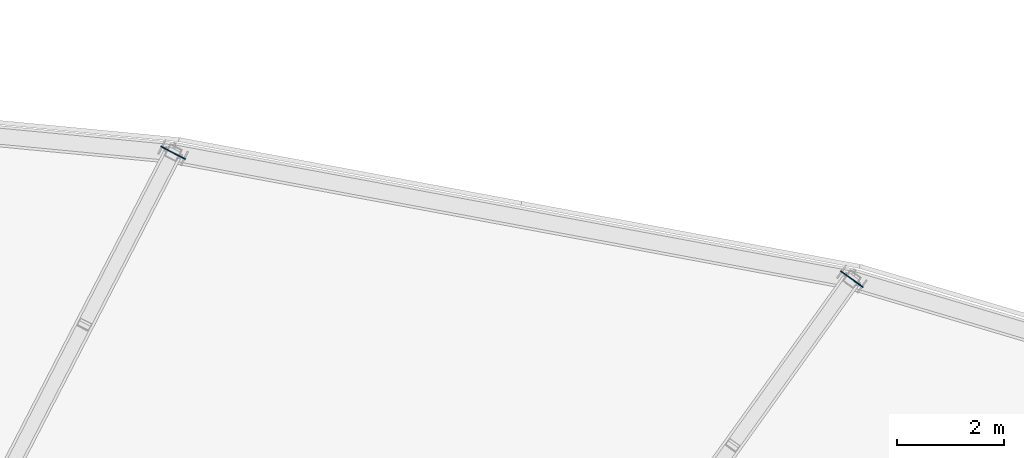
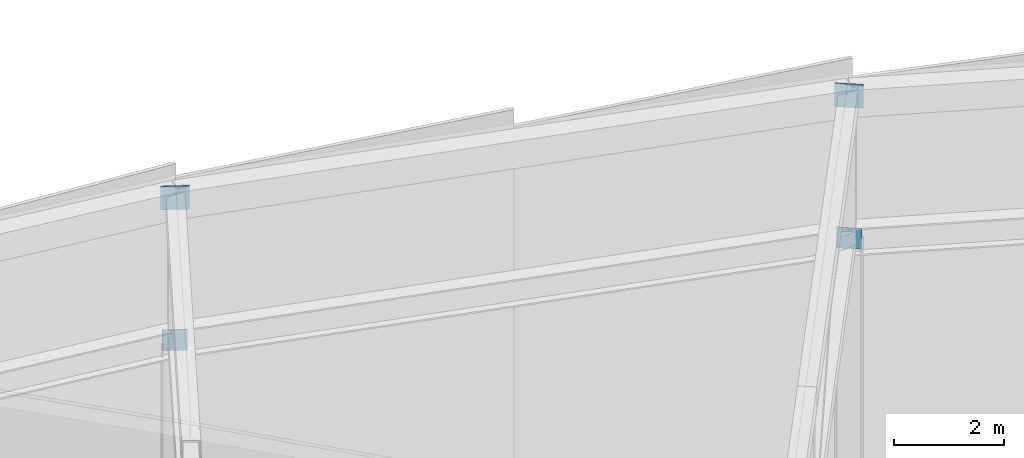
# One storey, part 135 of 143: 4 plates.
"""IFC4 building model written with IfcOpenShell, lengths in metres."""

from ifc_helpers import new_model, si_unit, direction, frame, origin, origin_2d, place, context, subcontext, project, spatial, rectangle, extrude, material, layer, layer_set, type_object, element, save


model = new_model("IFC4")

# Units and contexts
model_context = context("Model", 3, precision=1e-05, world=origin(), true_north=direction((0.0, 1.0)))
body_context = subcontext(model_context, "Body", "Model", "MODEL_VIEW")
ifc_project = project(units=[si_unit("LENGTHUNIT", "METRE"), si_unit("AREAUNIT", "SQUARE_METRE"), si_unit("VOLUMEUNIT", "CUBIC_METRE"), si_unit("PLANEANGLEUNIT", "RADIAN"), si_unit("MASSUNIT", "GRAM", prefix="KILO")], contexts=[model_context])

# Site, building, storey
site_placement = place(None, origin())
site = spatial("IfcSite", under=ifc_project, at=site_placement, CompositionType="ELEMENT")
building_placement = place(site_placement, origin())
building = spatial("IfcBuilding", under=site, at=building_placement, Name="Mphavela Belvedere Stadium", CompositionType="ELEMENT")
storey_placement = place(building_placement, frame((0.0, 0.0, 28.800048828125)))
storey = spatial("IfcBuildingStorey", under=building, at=storey_placement, Name="RF", CompositionType="ELEMENT", Elevation=28.800048828125)

# Plates
ifc_material_1 = material(Name="Steel S355", Category="steel")
ifc_layer_1 = layer(ifc_material_1, 0.01806640625)
ifc_layer_set_1 = layer_set([ifc_layer_1], Name="Steel S355")
plate_type_1 = type_object("IfcPlateType", Name="PLT-CAP-TRUSS-BC", PredefinedType="USERDEFINED", material=ifc_layer_set_1)
for number, where, z_axis, x_axis, name in (
    (1, (164.80126953125, 156.39697265625, 8.875), (0.0, 0.0, 1.0), (0.582974127943, 0.812490717577, 0.0), "Roof truss RT-10 hollow-end cap plate out_bc"),
    (2, (152.07275390625, 158.767333984375, 9.637939453125), (0.0, 0.0, 1.0), (0.458959712465, 0.888457079624, 0.0), "Roof truss RT-11 hollow-end cap plate out_bc"),
):
    element("IfcPlate", number, at=place(storey_placement, frame(where, z_axis=z_axis, x_axis=x_axis)), inside=storey, type_object=plate_type_1, Name=name, ObjectType="GUSSET_PLATE", PredefinedType="USERDEFINED", context=body_context, shape_type="SweptSolid", body=[
        extrude(rectangle(XDim=0.01806640625, YDim=0.4599609375, at=origin_2d()), origin(), (0.0, 0.0, 1.0), 0.4599609375),
    ])
ifc_material_2 = material(Name="Steel S355", Category="steel")
ifc_layer_2 = layer(ifc_material_2, 0.02001953125)
ifc_layer_set_2 = layer_set([ifc_layer_2], Name="Steel S355")
plate_type_2 = type_object("IfcPlateType", Name="PLT-CAP-TRUSS-TC", PredefinedType="USERDEFINED", material=ifc_layer_set_2)
for number, where, z_axis, x_axis, name in (
    (3, (164.80126953125, 156.39697265625, 11.9951171875), (0.0, 0.0, 1.0), (0.582974127943, 0.812490717577, 0.0), "Roof truss RT-10 hollow-end cap plate out_tc"),
    (4, (152.07275390625, 158.767333984375, 12.7578125), (0.0, 0.0, 1.0), (0.458959712465, 0.888457079624, 0.0), "Roof truss RT-11 hollow-end cap plate out_tc"),
):
    element("IfcPlate", number, at=place(storey_placement, frame(where, z_axis=z_axis, x_axis=x_axis)), inside=storey, type_object=plate_type_2, Name=name, ObjectType="GUSSET_PLATE", PredefinedType="USERDEFINED", context=body_context, shape_type="SweptSolid", body=[
        extrude(rectangle(XDim=0.02001953125, YDim=0.52001953125, at=origin_2d()), origin(), (0.0, 0.0, 1.0), 0.52001953125),
    ])

save(model, "model.ifc")
